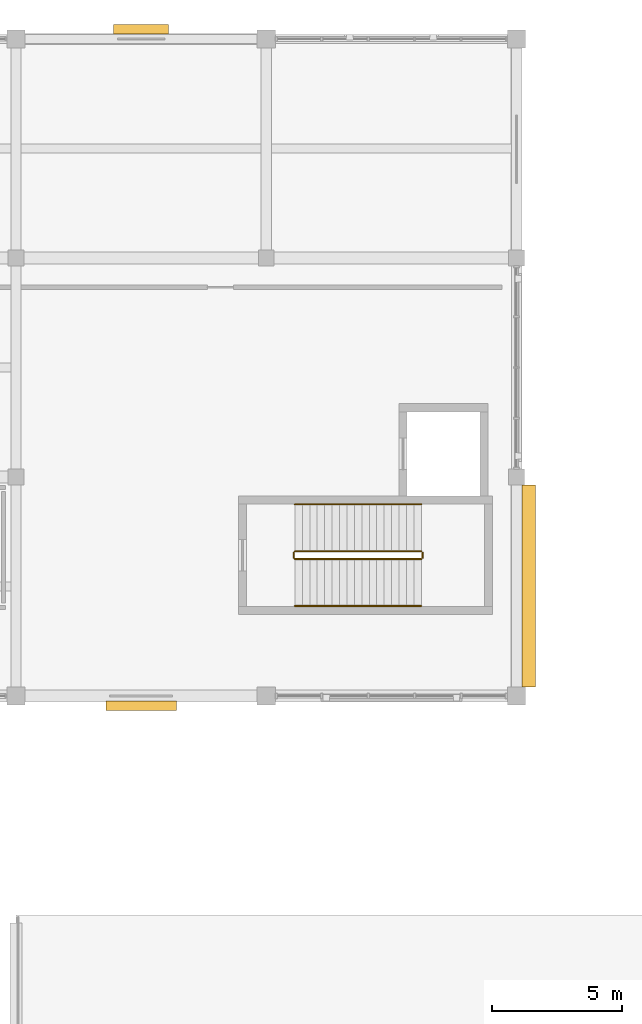
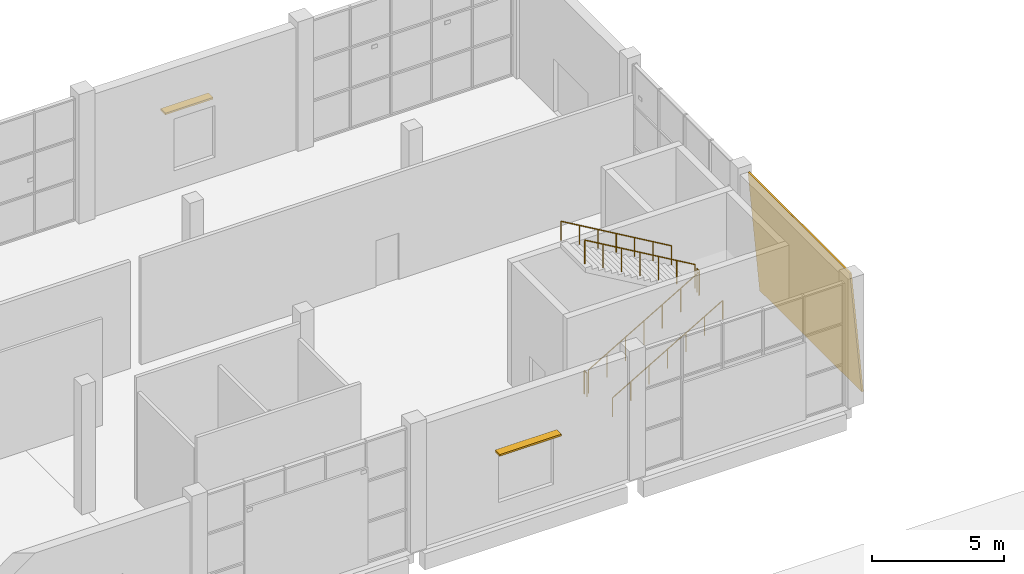
# One storey, part 79 of 84: 6 railings, 2 shading devices, 1 covering.
"""IFC4 building model written with IfcOpenShell, lengths in metres."""

from ifc_helpers import new_model, si_unit, direction, frame, origin, origin_2d, place, context, subcontext, project, spatial, polyline, rectangle, circle, outline, extrude, material, layer, layer_set, type_object, element, save


model = new_model("IFC4")

# Units and contexts
model_context = context("Model", 3, precision=1e-05, world=origin(), true_north=direction((0.0, 1.0)))
body_context = subcontext(model_context, "Body", "Model", "MODEL_VIEW")
ifc_project = project(units=[si_unit("LENGTHUNIT", "METRE"), si_unit("AREAUNIT", "SQUARE_METRE"), si_unit("VOLUMEUNIT", "CUBIC_METRE"), si_unit("PLANEANGLEUNIT", "RADIAN"), si_unit("MASSUNIT", "GRAM", prefix="KILO")], contexts=[model_context])

# Site, building, storey
site_placement = place(None, origin())
site = spatial("IfcSite", under=ifc_project, at=site_placement, CompositionType="ELEMENT")
building_placement = place(site_placement, origin())
building = spatial("IfcBuilding", under=site, at=building_placement, Name="Shalvenor Court Art Gallery", CompositionType="ELEMENT")
storey_placement = place(building_placement, origin())
storey = spatial("IfcBuildingStorey", under=building, at=storey_placement, Name="L00", CompositionType="ELEMENT", Elevation=0.0)

# Covering
ifc_material_1 = material(Name="Pale Mediterranean limestone cladding", Category="masonry")
ifc_layer = layer(ifc_material_1, 0.080078125, Name="Pale Mediterranean limestone cladding")
ifc_layer_set = layer_set([ifc_layer], Name="Pale Mediterranean limestone cladding")
covering_type = type_object("IfcCoveringType", Name="CLD-01", PredefinedType="CLADDING", material=ifc_layer_set)
covering_placement = place(storey_placement, frame((125.52685546875, 97.550048828125, 0.0), z_axis=(0.0, 0.0, 1.0), x_axis=(0.0, 1.0, 0.0)))
element("IfcCovering", 1, at=covering_placement, inside=storey, type_object=covering_type, Name="L00 V2 Tapered Limestone Cladding 29", PredefinedType="CLADDING", context=body_context, shape_type="SweptSolid", body=[
    extrude(outline(polyline([(0.0, 0.0), (7.75, 0.0), (7.75, 5.703369140625), (0.0, 5.703369140625), (0.0, 0.0)])), frame((0.0, 0.0, 0.0), z_axis=(0.0, -0.995884398616, 0.090632580198), x_axis=(1.0, 0.0, 0.0)), (0.0, 0.090632580198, -0.995884398616), 0.080322265625),
])

# Railings
ifc_material_2 = material(Name="Painted steel post-and-rail guard", Category="steel")
railing_type_1 = type_object("IfcRailingType", Name="GR-02", PredefinedType="GUARDRAIL", material=ifc_material_2)
railing_1_placement = place(storey_placement, frame((116.300048828125, 102.449951171875, 0.166748046875)))
element("IfcRailing", 2, at=railing_1_placement, inside=storey, type_object=railing_type_1, Name="L00 ST-05 Stair Guard 1", PredefinedType="GUARDRAIL", context=body_context, shape_type="SweptSolid", body=[
    extrude(circle(Radius=0.02392578125, at=origin_2d()), frame((0.0, 0.0, 1.09619140625), z_axis=(0.863234098208, 0.0, 0.504803815052), x_axis=(0.0, 1.0, 0.0)), (0.0, 0.0, 1.0), 5.612548828125),
    extrude(circle(Radius=0.02099609375, at=origin_2d()), origin(), (0.0, 0.0, 1.0), 1.072021484375),
    extrude(circle(Radius=0.02099609375, at=origin_2d()), frame((0.8076171875, 0.0, 0.47216796875)), (0.0, 0.0, 1.0), 1.072021484375),
    extrude(circle(Radius=0.02099609375, at=origin_2d()), frame((1.614990234375, 0.0, 0.9443359375)), (0.0, 0.0, 1.0), 1.072021484375),
    extrude(circle(Radius=0.02099609375, at=origin_2d()), frame((2.42236328125, 0.0, 1.41650390625)), (0.0, 0.0, 1.0), 1.072021484375),
    extrude(circle(Radius=0.02099609375, at=origin_2d()), frame((3.22998046875, 0.0, 1.888916015625)), (0.0, 0.0, 1.0), 1.072021484375),
    extrude(circle(Radius=0.02099609375, at=origin_2d()), frame((4.03759765625, 0.0, 2.361083984375)), (0.0, 0.0, 1.0), 1.072021484375),
    extrude(circle(Radius=0.02099609375, at=origin_2d()), frame((4.844970703125, 0.0, 2.833251953125)), (0.0, 0.0, 1.0), 1.072021484375),
])
railing_2_placement = place(storey_placement, frame((121.195068359375, 102.5, 3.0)))
element("IfcRailing", 3, at=railing_2_placement, inside=storey, type_object=railing_type_1, Name="L00 ST-05 Stair Guard 2", PredefinedType="GUARDRAIL", context=body_context, shape_type="SweptSolid", body=[
    extrude(circle(Radius=0.02392578125, at=origin_2d()), frame((0.0, 0.0, 1.09619140625), z_axis=(0.0, 1.0, 0.0), x_axis=(-1.0, 0.0, 0.0)), (0.0, 0.0, 1.0), 0.199951171875),
    extrude(circle(Radius=0.02099609375, at=origin_2d()), origin(), (0.0, 0.0, 1.0), 1.072021484375),
    extrude(circle(Radius=0.02099609375, at=origin_2d()), frame((0.0, 0.199951171875, 0.0)), (0.0, 0.0, 1.0), 1.072021484375),
])
railing_3_placement = place(storey_placement, frame((121.14501953125, 102.75, 3.166748046875)))
element("IfcRailing", 4, at=railing_3_placement, inside=storey, type_object=railing_type_1, Name="L00 ST-05 Stair Guard 3", PredefinedType="GUARDRAIL", context=body_context, shape_type="SweptSolid", body=[
    extrude(circle(Radius=0.02392578125, at=origin_2d()), frame((0.0, 0.0, 1.09619140625), z_axis=(-0.863234098208, 0.0, 0.504803815052), x_axis=(0.0, -1.0, 0.0)), (0.0, 0.0, 1.0), 5.612548828125),
    extrude(circle(Radius=0.02099609375, at=origin_2d()), origin(), (0.0, 0.0, 1.0), 1.072021484375),
    extrude(circle(Radius=0.02099609375, at=origin_2d()), frame((-0.8076171875, 0.0, 0.47216796875)), (0.0, 0.0, 1.0), 1.072021484375),
    extrude(circle(Radius=0.02099609375, at=origin_2d()), frame((-1.614990234375, 0.0, 0.9443359375)), (0.0, 0.0, 1.0), 1.072021484375),
    extrude(circle(Radius=0.02099609375, at=origin_2d()), frame((-2.42236328125, 0.0, 1.41650390625)), (0.0, 0.0, 1.0), 1.072021484375),
    extrude(circle(Radius=0.02099609375, at=origin_2d()), frame((-3.22998046875, 0.0, 1.888916015625)), (0.0, 0.0, 1.0), 1.072021484375),
    extrude(circle(Radius=0.02099609375, at=origin_2d()), frame((-4.03759765625, 0.0, 2.361083984375)), (0.0, 0.0, 1.0), 1.072021484375),
    extrude(circle(Radius=0.02099609375, at=origin_2d()), frame((-4.844970703125, 0.0, 2.833251953125)), (0.0, 0.0, 1.0), 1.072021484375),
])
railing_4_placement = place(storey_placement, frame((116.25, 102.5, 0.0)))
element("IfcRailing", 5, at=railing_4_placement, inside=storey, type_object=railing_type_1, Name="L00 ST-05 Stair Guard 4", PredefinedType="GUARDRAIL", context=body_context, shape_type="SweptSolid", body=[
    extrude(circle(Radius=0.02392578125, at=origin_2d()), frame((0.0, 0.0, 1.09619140625), z_axis=(0.0, 1.0, 0.0), x_axis=(-1.0, 0.0, 0.0)), (0.0, 0.0, 1.0), 0.199951171875),
    extrude(circle(Radius=0.02099609375, at=origin_2d()), origin(), (0.0, 0.0, 1.0), 1.072021484375),
    extrude(circle(Radius=0.02099609375, at=origin_2d()), frame((0.0, 0.199951171875, 0.0)), (0.0, 0.0, 1.0), 1.072021484375),
])
ifc_material_3 = material(Name="Brushed stainless steel handrail", Category="steel")
railing_type_2 = type_object("IfcRailingType", Name="HR-01", PredefinedType="HANDRAIL", material=ifc_material_3)
railing_5_placement = place(storey_placement, frame((116.300048828125, 100.64990234375, 0.166748046875)))
element("IfcRailing", 6, at=railing_5_placement, inside=storey, type_object=railing_type_2, Name="L00 ST-05 Stair Handrail 1", PredefinedType="HANDRAIL", context=body_context, shape_type="SweptSolid", body=[
    extrude(circle(Radius=0.02392578125, at=origin_2d()), frame((0.0, 0.0, 0.8759765625), z_axis=(0.863234098208, 0.0, 0.504803815052), x_axis=(0.0, 1.0, 0.0)), (0.0, 0.0, 1.0), 5.612548828125),
    extrude(circle(Radius=0.02099609375, at=origin_2d()), origin(), (0.0, 0.0, 1.0), 0.851806640625),
    extrude(circle(Radius=0.02099609375, at=origin_2d()), frame((0.8076171875, 0.0, 0.47216796875)), (0.0, 0.0, 1.0), 0.851806640625),
    extrude(circle(Radius=0.02099609375, at=origin_2d()), frame((1.614990234375, 0.0, 0.9443359375)), (0.0, 0.0, 1.0), 0.851806640625),
    extrude(circle(Radius=0.02099609375, at=origin_2d()), frame((2.42236328125, 0.0, 1.41650390625)), (0.0, 0.0, 1.0), 0.851806640625),
    extrude(circle(Radius=0.02099609375, at=origin_2d()), frame((3.22998046875, 0.0, 1.888916015625)), (0.0, 0.0, 1.0), 0.851806640625),
    extrude(circle(Radius=0.02099609375, at=origin_2d()), frame((4.03759765625, 0.0, 2.361083984375)), (0.0, 0.0, 1.0), 0.851806640625),
    extrude(circle(Radius=0.02099609375, at=origin_2d()), frame((4.844970703125, 0.0, 2.833251953125)), (0.0, 0.0, 1.0), 0.851806640625),
])
railing_6_placement = place(storey_placement, frame((121.14501953125, 104.550048828125, 3.166748046875)))
element("IfcRailing", 7, at=railing_6_placement, inside=storey, type_object=railing_type_2, Name="L00 ST-05 Stair Handrail 2", PredefinedType="HANDRAIL", context=body_context, shape_type="SweptSolid", body=[
    extrude(circle(Radius=0.02392578125, at=origin_2d()), frame((0.0, 0.0, 0.8759765625), z_axis=(-0.863234098208, 0.0, 0.504803815052), x_axis=(0.0, -1.0, 0.0)), (0.0, 0.0, 1.0), 5.612548828125),
    extrude(circle(Radius=0.02099609375, at=origin_2d()), origin(), (0.0, 0.0, 1.0), 0.851806640625),
    extrude(circle(Radius=0.02099609375, at=origin_2d()), frame((-0.8076171875, 0.0, 0.47216796875)), (0.0, 0.0, 1.0), 0.851806640625),
    extrude(circle(Radius=0.02099609375, at=origin_2d()), frame((-1.614990234375, 0.0, 0.9443359375)), (0.0, 0.0, 1.0), 0.851806640625),
    extrude(circle(Radius=0.02099609375, at=origin_2d()), frame((-2.42236328125, 0.0, 1.41650390625)), (0.0, 0.0, 1.0), 0.851806640625),
    extrude(circle(Radius=0.02099609375, at=origin_2d()), frame((-3.22998046875, 0.0, 1.888916015625)), (0.0, 0.0, 1.0), 0.851806640625),
    extrude(circle(Radius=0.02099609375, at=origin_2d()), frame((-4.03759765625, 0.0, 2.361083984375)), (0.0, 0.0, 1.0), 0.851806640625),
    extrude(circle(Radius=0.02099609375, at=origin_2d()), frame((-4.844970703125, 0.0, 2.833251953125)), (0.0, 0.0, 1.0), 0.851806640625),
])

# Shading devices
ifc_material_4 = material(Name="Dark anodised bronze aluminium louvre", Category="aluminium")
shading_device_type = type_object("IfcShadingDeviceType", Name="SHD-01", PredefinedType="JALOUSIE", material=ifc_material_4)
shading_device_1_placement = place(storey_placement, frame((110.39990234375, 122.77001953125, 3.300048828125), z_axis=(0.0, 0.0, 1.0), x_axis=(1.0, 0.0, 0.0)))
element("IfcShadingDevice", 8, at=shading_device_1_placement, inside=storey, type_object=shading_device_type, Name="L00 Koushi Window Sunshade 23", PredefinedType="JALOUSIE", context=body_context, shape_type="SweptSolid", body=[
    extrude(rectangle(XDim=2.10009765625, YDim=0.360107421875, at=origin_2d()), origin(), (0.0, 0.0, 1.0), 0.080078125),
])
shading_device_2_placement = place(storey_placement, frame((110.39990234375, 96.830078125, 3.300048828125), z_axis=(0.0, 0.0, 1.0), x_axis=(-1.0, 0.0, 0.0)))
element("IfcShadingDevice", 9, at=shading_device_2_placement, inside=storey, type_object=shading_device_type, Name="L00 Koushi Window Sunshade 24", PredefinedType="JALOUSIE", context=body_context, shape_type="SweptSolid", body=[
    extrude(rectangle(XDim=2.699951171875, YDim=0.360107421875, at=origin_2d()), origin(), (0.0, 0.0, 1.0), 0.080078125),
])

save(model, "model.ifc")
